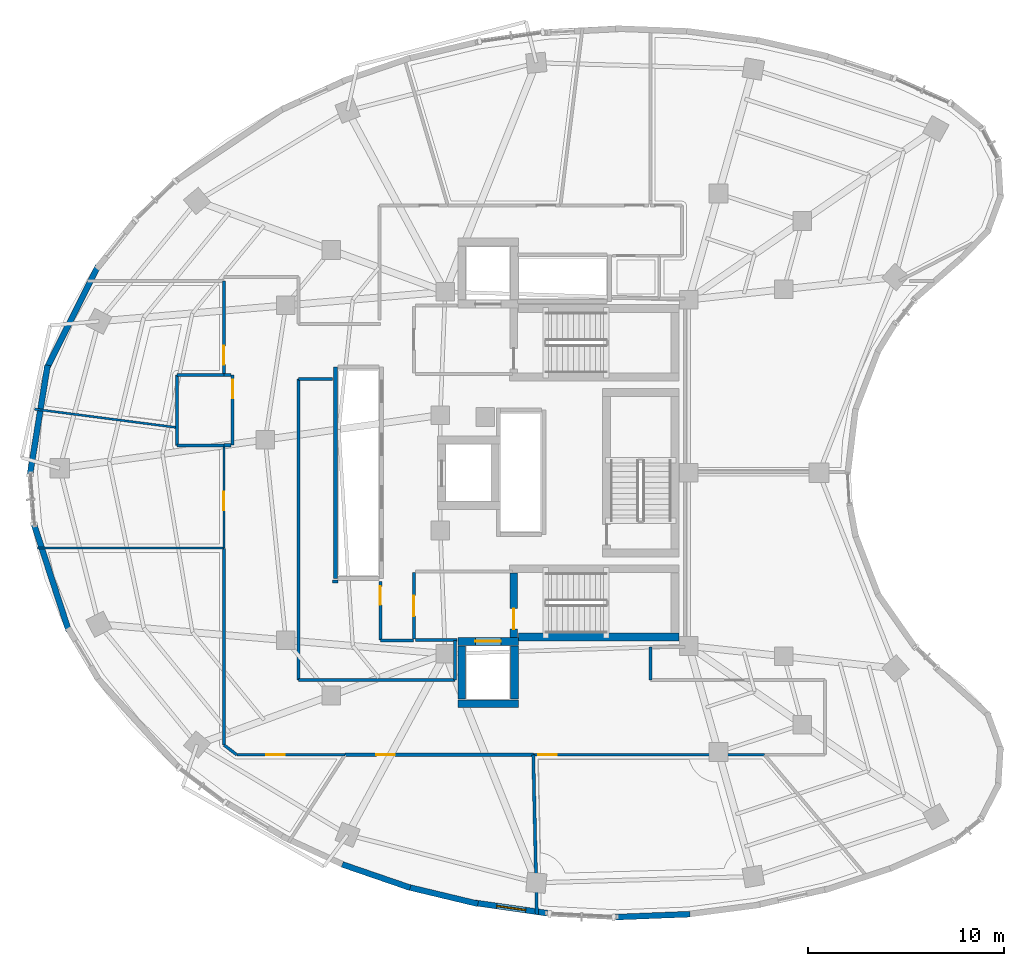
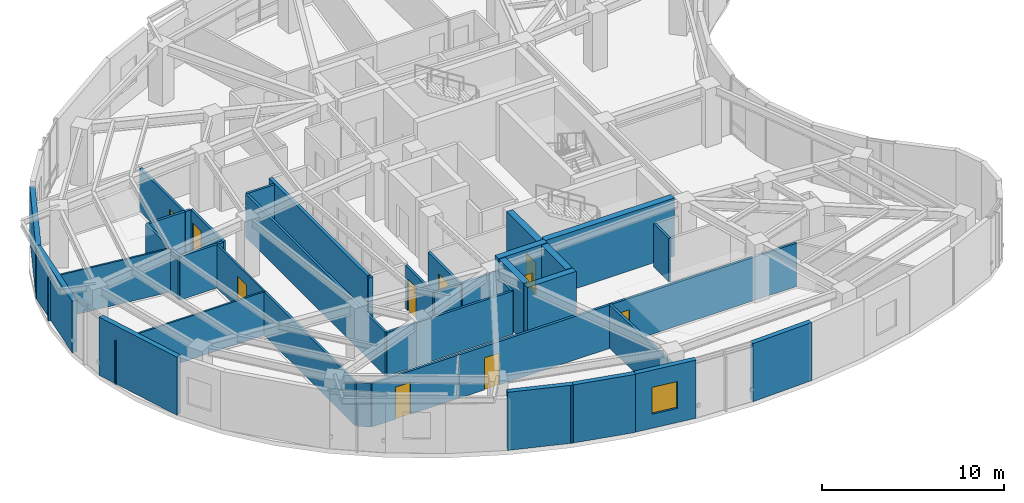
# One storey, part 8 of 15: 40 walls, 10 doors, 1 window, 11 openings.
"""IFC4 building model written with IfcOpenShell, lengths in metres."""

from ifc_helpers import new_model, si_unit, direction, frame, frame_2d, origin, place, context, subcontext, project, spatial, rectangle, extrude, material, layer, layer_set, type_object, element, fill, save


model = new_model("IFC4")

# Units and contexts
model_context = context("Model", 3, precision=1e-05, world=origin(), true_north=direction((0.0, 1.0)))
body_context = subcontext(model_context, "Body", "Model", "MODEL_VIEW")
ifc_project = project(units=[si_unit("LENGTHUNIT", "METRE"), si_unit("AREAUNIT", "SQUARE_METRE"), si_unit("VOLUMEUNIT", "CUBIC_METRE"), si_unit("PLANEANGLEUNIT", "RADIAN"), si_unit("MASSUNIT", "GRAM", prefix="KILO")], contexts=[model_context])

# Site, building, storey
site_placement = place(None, origin())
site = spatial("IfcSite", under=ifc_project, at=site_placement, CompositionType="ELEMENT")
building_placement = place(site_placement, origin())
building = spatial("IfcBuilding", under=site, at=building_placement, Name="Korentha Bioscience Tower", CompositionType="ELEMENT")
storey_placement = place(building_placement, frame((0.0, 0.0, 218.39990234375)))
storey = spatial("IfcBuildingStorey", under=building, at=storey_placement, Name="L50", CompositionType="ELEMENT", Elevation=218.39990234375)

# Wall, opening, door
ifc_material_1 = material(Name="Double-Stud Acoustic Gypsum", Category="gypsum")
ifc_layer_1 = layer(ifc_material_1, 0.14990234375, Name="Double-Stud Acoustic Gypsum")
ifc_layer_set_1 = layer_set([ifc_layer_1], Name="Double-Stud Acoustic Gypsum (IW-L150)")
wall_type_1 = type_object("IfcWallType", Name="Acoustic Laboratory Partition Wall 150", PredefinedType="PARTITIONING", material=ifc_layer_set_1)
wall_1_placement = place(storey_placement, frame((21.7900390625, 21.43994140625, 0.0), z_axis=(0.0, 0.0, 1.0), x_axis=(0.0, -1.0, 0.0)))
wall_1 = element("IfcWall", 1, at=wall_1_placement, inside=storey, type_object=wall_type_1, Name="L50 Research Colloquium Seminar Room 02 Entrance Wall", PredefinedType="PARTITIONING", context=body_context, shape_type="SweptSolid", body=[
    extrude(rectangle(XDim=2.989990234375, YDim=0.14990234375, at=frame_2d((1.4951171875, 0.0))), origin(), (0.0, 0.0, 1.0), 2.91015625),
])
opening_1_placement = place(wall_1_placement, frame((0.239990234375, 0.0, 0.0)))
opening_1 = element("IfcOpeningElement", 2, at=opening_1_placement, cuts=wall_1, Name="Opening ID-10R", PredefinedType="OPENING", context=body_context, shape_type="SweptSolid", body=[
    extrude(rectangle(XDim=0.949951171875, YDim=2.14990234375, at=frame_2d((0.47509765625, 1.074951171875))), frame((0.0, 0.08984375, 0.0), z_axis=(0.0, -1.0, 0.0), x_axis=(1.0, 0.0, 0.0)), (0.0, 0.0, 1.0), 0.1796875),
])
ifc_material_2 = material(Name="Phenolic Laminate Timber Core", Category="wood")
door_type_1 = type_object("IfcDoorType", Name="Laboratory Single Leaf Door 950x2150 Right", OperationType="SINGLE_SWING_RIGHT", PredefinedType="DOOR", material=ifc_material_2)
door_1_placement = place(opening_1_placement, origin())
door_1 = element("IfcDoor", 3, at=door_1_placement, inside=storey, type_object=door_type_1, Name="L50 Research Colloquium Seminar Room 02 Door", OperationType="SINGLE_SWING_RIGHT", OverallHeight=2.14990234375, OverallWidth=0.949951171875, PredefinedType="DOOR", context=body_context, shape_type="SweptSolid", body=[
    extrude(rectangle(XDim=0.949951171875, YDim=2.14990234375, at=frame_2d((0.47509765625, 1.074951171875))), frame((0.0, 0.02490234375, 0.0), z_axis=(0.0, -1.0, 0.0), x_axis=(1.0, 0.0, 0.0)), (0.0, 0.0, 1.0), 0.050048828125),
])
fill(opening_1, door_1)

wall_2_placement = place(storey_placement, frame((14.454345703125, 12.590087890625, 0.0), z_axis=(0.0, 0.0, 1.0), x_axis=(1.0, 0.0, 0.0)))
wall_2 = element("IfcWall", 4, at=wall_2_placement, inside=storey, type_object=wall_type_1, Name="L50 Staff Pantry Kitchenette 03 Entrance Wall", PredefinedType="PARTITIONING", context=body_context, shape_type="SweptSolid", body=[
    extrude(rectangle(XDim=5.526611328125, YDim=0.14990234375, at=frame_2d((2.76318359375, 0.0))), origin(), (0.0, 0.0, 1.0), 2.91015625),
])
opening_2_placement = place(wall_2_placement, frame((1.49560546875, 0.0, 0.0)))
opening_2 = element("IfcOpeningElement", 5, at=opening_2_placement, cuts=wall_2, Name="Opening ID-10L", PredefinedType="OPENING", context=body_context, shape_type="SweptSolid", body=[
    extrude(rectangle(XDim=0.949951171875, YDim=2.14990234375, at=frame_2d((0.47509765625, 1.074951171875))), frame((0.0, 0.08984375, 0.0), z_axis=(0.0, -1.0, 0.0), x_axis=(1.0, 0.0, 0.0)), (0.0, 0.0, 1.0), 0.1796875),
])
door_type_2 = type_object("IfcDoorType", Name="Laboratory Single Leaf Door 950x2150 Left", OperationType="SINGLE_SWING_LEFT", PredefinedType="DOOR", material=ifc_material_2)
door_2_placement = place(opening_2_placement, origin())
door_2 = element("IfcDoor", 6, at=door_2_placement, inside=storey, type_object=door_type_2, Name="L50 Staff Pantry Kitchenette 03 Door", OperationType="SINGLE_SWING_LEFT", OverallHeight=2.14990234375, OverallWidth=0.949951171875, PredefinedType="DOOR", context=body_context, shape_type="SweptSolid", body=[
    extrude(rectangle(XDim=0.949951171875, YDim=2.14990234375, at=frame_2d((0.47509765625, 1.074951171875))), frame((0.0, 0.02490234375, 0.0), z_axis=(0.0, -1.0, 0.0), x_axis=(1.0, 0.0, 0.0)), (0.0, 0.0, 1.0), 0.050048828125),
])
fill(opening_2, door_2)

wall_3_placement = place(storey_placement, frame((29.611572265625, 12.590087890625, 0.0), z_axis=(0.0, 0.0, 1.0), x_axis=(1.0, 0.0, 0.0)))
wall_3 = element("IfcWall", 7, at=wall_3_placement, inside=storey, type_object=wall_type_1, Name="L50 Sterile Media Preparation Kitchen 05 Entrance Wall", PredefinedType="PARTITIONING", context=body_context, shape_type="SweptSolid", body=[
    extrude(rectangle(XDim=11.806396484375, YDim=0.14990234375, at=frame_2d((5.9033203125, 0.0))), origin(), (0.0, 0.0, 1.0), 2.91015625),
])
opening_3_placement = place(wall_3_placement, frame((0.239990234375, 0.0, 0.0)))
opening_3 = element("IfcOpeningElement", 8, at=opening_3_placement, cuts=wall_3, Name="Opening ID-10L", PredefinedType="OPENING", context=body_context, shape_type="SweptSolid", body=[
    extrude(rectangle(XDim=0.949951171875, YDim=2.14990234375, at=frame_2d((0.47509765625, 1.074951171875))), frame((0.0, 0.08984375, 0.0), z_axis=(0.0, -1.0, 0.0), x_axis=(1.0, 0.0, 0.0)), (0.0, 0.0, 1.0), 0.1796875),
])
door_3_placement = place(opening_3_placement, origin())
door_3 = element("IfcDoor", 9, at=door_3_placement, inside=storey, type_object=door_type_2, Name="L50 Sterile Media Preparation Kitchen 05 Door", OperationType="SINGLE_SWING_LEFT", OverallHeight=2.14990234375, OverallWidth=0.949951171875, PredefinedType="DOOR", context=body_context, shape_type="SweptSolid", body=[
    extrude(rectangle(XDim=0.949951171875, YDim=2.14990234375, at=frame_2d((0.47509765625, 1.074951171875))), frame((0.0, 0.02490234375, 0.0), z_axis=(0.0, -1.0, 0.0), x_axis=(1.0, 0.0, 0.0)), (0.0, 0.0, 1.0), 0.050048828125),
])
fill(opening_3, door_3)

wall_4_placement = place(storey_placement, frame((13.7900390625, 36.7919921875, 0.0), z_axis=(0.0, 0.0, 1.0), x_axis=(0.0, -1.0, 0.0)))
wall_4 = element("IfcWall", 10, at=wall_4_placement, inside=storey, type_object=wall_type_1, Name="L50 Neurobiology Electrophysiology Lab 11 Entrance Wall", PredefinedType="PARTITIONING", context=body_context, shape_type="SweptSolid", body=[
    extrude(rectangle(XDim=4.781982421875, YDim=0.14990234375, at=frame_2d((2.39111328125, 0.0))), origin(), (0.0, 0.0, 1.0), 2.91015625),
])
opening_4_placement = place(wall_4_placement, frame((3.312255859375, 0.0, 0.0)))
opening_4 = element("IfcOpeningElement", 11, at=opening_4_placement, cuts=wall_4, Name="Opening ID-10L", PredefinedType="OPENING", context=body_context, shape_type="SweptSolid", body=[
    extrude(rectangle(XDim=0.949951171875, YDim=2.14990234375, at=frame_2d((0.47509765625, 1.074951171875))), frame((0.0, 0.08984375, 0.0), z_axis=(0.0, -1.0, 0.0), x_axis=(1.0, 0.0, 0.0)), (0.0, 0.0, 1.0), 0.1796875),
])
door_4_placement = place(opening_4_placement, origin())
door_4 = element("IfcDoor", 12, at=door_4_placement, inside=storey, type_object=door_type_2, Name="L50 Neurobiology Electrophysiology Lab 11 Door", OperationType="SINGLE_SWING_LEFT", OverallHeight=2.14990234375, OverallWidth=0.949951171875, PredefinedType="DOOR", context=body_context, shape_type="SweptSolid", body=[
    extrude(rectangle(XDim=0.949951171875, YDim=2.14990234375, at=frame_2d((0.47509765625, 1.074951171875))), frame((0.0, 0.02490234375, 0.0), z_axis=(0.0, -1.0, 0.0), x_axis=(1.0, 0.0, 0.0)), (0.0, 0.0, 1.0), 0.050048828125),
])
fill(opening_4, door_4)

# Walls
wall_5_placement = place(storey_placement, frame((19.35009765625, 21.43994140625, 0.0), z_axis=(0.0, 0.0, 1.0), x_axis=(1.0, 0.0, 0.0)))
element("IfcWall", 13, at=wall_5_placement, inside=storey, type_object=wall_type_1, Name="L50 Interior Partition 023", PredefinedType="PARTITIONING", context=body_context, shape_type="SweptSolid", body=[
    extrude(rectangle(XDim=0.27001953125, YDim=0.14990234375, at=frame_2d((0.135009765625, 0.0))), origin(), (0.0, 0.0, 1.0), 2.91015625),
])
wall_6_placement = place(storey_placement, frame((21.800048828125, 18.43994140625, 0.0), z_axis=(0.0, 0.0, 1.0), x_axis=(1.0, 0.0, 0.0)))
element("IfcWall", 14, at=wall_6_placement, inside=storey, type_object=wall_type_1, Name="L50 Interior Partition 024", PredefinedType="PARTITIONING", context=body_context, shape_type="SweptSolid", body=[
    extrude(rectangle(XDim=1.68994140625, YDim=0.14990234375, at=frame_2d((0.844970703125, 0.0))), origin(), (0.0, 0.0, 1.0), 2.91015625),
])
wall_7_placement = place(storey_placement, frame((25.60009765625, 18.435791015625, 0.0), z_axis=(0.0, 0.0, 1.0), x_axis=(0.0, -1.0, 0.0)))
element("IfcWall", 15, at=wall_7_placement, inside=storey, type_object=wall_type_1, Name="L50 Interior Partition 025", PredefinedType="PARTITIONING", context=body_context, shape_type="SweptSolid", body=[
    extrude(rectangle(XDim=2.02587890625, YDim=0.14990234375, at=frame_2d((1.012939453125, 0.0))), origin(), (0.0, 0.0, 1.0), 2.91015625),
])
wall_8_placement = place(storey_placement, frame((25.60009765625, 16.409912109375, 0.0), z_axis=(0.0, 0.0, 1.0), x_axis=(-1.0, 0.0, 0.0)))
element("IfcWall", 16, at=wall_8_placement, inside=storey, type_object=wall_type_1, Name="L50 Interior Partition 026", PredefinedType="PARTITIONING", context=body_context, shape_type="SweptSolid", body=[
    extrude(rectangle(XDim=7.989990234375, YDim=0.14990234375, at=frame_2d((3.9951171875, 0.0))), origin(), (0.0, 0.0, 1.0), 2.91015625),
])
wall_9_placement = place(storey_placement, frame((17.610107421875, 16.409912109375, 0.0), z_axis=(0.0, 0.0, 1.0), x_axis=(0.0, 1.0, 0.0)))
element("IfcWall", 17, at=wall_9_placement, inside=storey, type_object=wall_type_1, Name="L50 Interior Partition 027", PredefinedType="PARTITIONING", context=body_context, shape_type="SweptSolid", body=[
    extrude(rectangle(XDim=15.380126953125, YDim=0.14990234375, at=frame_2d((7.68994140625, 0.0))), origin(), (0.0, 0.0, 1.0), 2.91015625),
])
wall_10_placement = place(storey_placement, frame((17.610107421875, 31.7900390625, 0.0), z_axis=(0.0, 0.0, 1.0), x_axis=(1.0, 0.0, 0.0)))
element("IfcWall", 18, at=wall_10_placement, inside=storey, type_object=wall_type_1, Name="L50 Interior Partition 028", PredefinedType="PARTITIONING", context=body_context, shape_type="SweptSolid", body=[
    extrude(rectangle(XDim=1.72998046875, YDim=0.14990234375, at=frame_2d((0.864990234375, 0.0))), origin(), (0.0, 0.0, 1.0), 2.91015625),
])
wall_11_placement = place(storey_placement, frame((13.7900390625, 23.14208984375, 0.0), z_axis=(0.0, 0.0, 1.0), x_axis=(0.0, -1.0, 0.0)))
element("IfcWall", 19, at=wall_11_placement, inside=storey, type_object=wall_type_1, Name="L50 Interior Partition 029", PredefinedType="PARTITIONING", context=body_context, shape_type="SweptSolid", body=[
    extrude(rectangle(XDim=10.0458984375, YDim=0.14990234375, at=frame_2d((5.02294921875, 0.0))), origin(), (0.0, 0.0, 1.0), 2.91015625),
])
wall_12_placement = place(storey_placement, frame((13.7939453125, 13.088134765625, 0.0), z_axis=(0.0, 0.0, 1.0), x_axis=(0.796957719098, -0.604035093326, 0.0)))
element("IfcWall", 20, at=wall_12_placement, inside=storey, type_object=wall_type_1, Name="L50 Interior Partition 030", PredefinedType="PARTITIONING", context=body_context, shape_type="SweptSolid", body=[
    extrude(rectangle(XDim=0.8212890625, YDim=0.14990234375, at=frame_2d((0.41064453125, 0.0))), origin(), (0.0, 0.0, 1.0), 2.91015625),
])
wall_13_placement = place(storey_placement, frame((35.60205078125, 16.409912109375, 0.0), z_axis=(0.0, 0.0, 1.0), x_axis=(0.0, 1.0, 0.0)))
element("IfcWall", 21, at=wall_13_placement, inside=storey, type_object=wall_type_1, Name="L50 Interior Partition 039", PredefinedType="PARTITIONING", context=body_context, shape_type="SweptSolid", body=[
    extrude(rectangle(XDim=1.68017578125, YDim=0.14990234375, at=frame_2d((0.840087890625, 0.0))), origin(), (0.0, 0.0, 1.0), 2.91015625),
])

# Wall, opening, door
ifc_material_3 = material(Name="Fire-Rated Framed Glass", Category="glass")
ifc_layer_2 = layer(ifc_material_3, 0.110107421875, Name="Fire-Rated Framed Glass")
ifc_layer_set_2 = layer_set([ifc_layer_2], Name="Fire-Rated Framed Glass (IW-G110)")
wall_type_2 = type_object("IfcWallType", Name="Demountable Glazed Office Partition 110", PredefinedType="MOVABLE", material=ifc_layer_set_2)
wall_14_placement = place(storey_placement, frame((13.7900390625, 28.389892578125, 0.0), z_axis=(0.0, 0.0, 1.0), x_axis=(0.0, -1.0, 0.0)))
wall_14 = element("IfcWall", 22, at=wall_14_placement, inside=storey, type_object=wall_type_2, Name="L50 Principal Investigator Office 01 Entrance Wall", PredefinedType="MOVABLE", context=body_context, shape_type="SweptSolid", body=[
    extrude(rectangle(XDim=5.23779296875, YDim=0.110107421875, at=frame_2d((2.618896484375, 0.0))), origin(), (0.0, 0.0, 1.0), 2.91015625),
])
opening_5_placement = place(wall_14_placement, frame((2.35009765625, 0.0, 0.0)))
opening_5 = element("IfcOpeningElement", 23, at=opening_5_placement, cuts=wall_14, Name="Opening ID-10L", PredefinedType="OPENING", context=body_context, shape_type="SweptSolid", body=[
    extrude(rectangle(XDim=0.949951171875, YDim=2.14990234375, at=frame_2d((0.47509765625, 1.074951171875))), frame((0.0, 0.06982421875, 0.0), z_axis=(0.0, -1.0, 0.0), x_axis=(1.0, 0.0, 0.0)), (0.0, 0.0, 1.0), 0.139892578125),
])
door_5_placement = place(opening_5_placement, origin())
door_5 = element("IfcDoor", 24, at=door_5_placement, inside=storey, type_object=door_type_2, Name="L50 Principal Investigator Office 01 Door", OperationType="SINGLE_SWING_LEFT", OverallHeight=2.14990234375, OverallWidth=0.949951171875, PredefinedType="DOOR", context=body_context, shape_type="SweptSolid", body=[
    extrude(rectangle(XDim=0.949951171875, YDim=2.14990234375, at=frame_2d((0.47509765625, 1.074951171875))), frame((0.0, 0.02490234375, 0.0), z_axis=(0.0, -1.0, 0.0), x_axis=(1.0, 0.0, 0.0)), (0.0, 0.0, 1.0), 0.050048828125),
])
fill(opening_5, door_5)

# Walls
wall_15_placement = place(storey_placement, frame((4.122802734375, 30.252685546875, 0.0), z_axis=(0.0, 0.0, 1.0), x_axis=(0.991734568624, -0.128306451111, 0.0)))
element("IfcWall", 25, at=wall_15_placement, inside=storey, type_object=wall_type_2, Name="L50 Interior Partition 021", PredefinedType="MOVABLE", context=body_context, shape_type="SweptSolid", body=[
    extrude(rectangle(XDim=7.32763671875, YDim=0.110107421875, at=frame_2d((3.663818359375, 0.0))), origin(), (0.0, 0.0, 1.0), 2.91015625),
])
wall_16_placement = place(storey_placement, frame((13.7900390625, 23.152099609375, 0.0), z_axis=(0.0, 0.0, 1.0), x_axis=(-1.0, 0.0, 0.0)))
element("IfcWall", 26, at=wall_16_placement, inside=storey, type_object=wall_type_2, Name="L50 Interior Partition 022", PredefinedType="MOVABLE", context=body_context, shape_type="SweptSolid", body=[
    extrude(rectangle(XDim=9.516845703125, YDim=0.110107421875, at=frame_2d((4.75830078125, 0.0))), origin(), (0.0, 0.0, 1.0), 2.91015625),
])

# Wall, opening, door
ifc_material_4 = material(Name="Gypsum-Clad Steel Stud", Category="steel")
ifc_layer_3 = layer(ifc_material_4, 0.159912109375, Name="Gypsum-Clad Steel Stud")
ifc_layer_set_3 = layer_set([ifc_layer_3], Name="Gypsum-Clad Steel Stud (IW-C160)")
wall_type_3 = type_object("IfcWallType", Name="Fire-Rated Corridor Partition Wall 160", PredefinedType="PARTITIONING", material=ifc_layer_set_3)
wall_17_placement = place(storey_placement, frame((23.5, 18.5, 0.0), z_axis=(0.0, 0.0, 1.0), x_axis=(0.0, 1.0, 0.0)))
wall_17 = element("IfcWall", 27, at=wall_17_placement, inside=storey, type_object=wall_type_3, Name="L50 FFLS-CW Rated Enclosure Wall", PredefinedType="PARTITIONING", context=body_context, shape_type="SweptSolid", body=[
    extrude(rectangle(XDim=3.39990234375, YDim=0.159912109375, at=frame_2d((1.699951171875, 0.0))), origin(), (0.0, 0.0, 1.0), 2.91015625),
])
opening_6_placement = place(wall_17_placement, frame((1.175048828125, 0.0, 0.0)))
opening_6 = element("IfcOpeningElement", 28, at=opening_6_placement, cuts=wall_17, Name="Opening FD-90L", PredefinedType="OPENING", context=body_context, shape_type="SweptSolid", body=[
    extrude(rectangle(XDim=1.050048828125, YDim=2.14990234375, at=frame_2d((0.52490234375, 1.074951171875))), frame((0.0, 0.0947265625, 0.0), z_axis=(0.0, -1.0, 0.0), x_axis=(1.0, 0.0, 0.0)), (0.0, 0.0, 1.0), 0.189697265625),
])
ifc_material_5 = material(Name="Powder-Coated Fire-Rated Steel", Category="steel")
door_type_3 = type_object("IfcDoorType", Name="Stairwell Fire Exit Door 1050x2150 Left", OperationType="SINGLE_SWING_LEFT", PredefinedType="DOOR", material=ifc_material_5)
door_6_placement = place(opening_6_placement, origin())
door_6 = element("IfcDoor", 29, at=door_6_placement, inside=storey, type_object=door_type_3, Name="L50 South Firefighting Lobby Door", OperationType="SINGLE_SWING_LEFT", OverallHeight=2.14990234375, OverallWidth=1.050048828125, PredefinedType="DOOR", context=body_context, shape_type="SweptSolid", body=[
    extrude(rectangle(XDim=1.050048828125, YDim=2.14990234375, at=frame_2d((0.52490234375, 1.074951171875))), frame((0.0, 0.02490234375, 0.0), z_axis=(0.0, -1.0, 0.0), x_axis=(1.0, 0.0, 0.0)), (0.0, 0.0, 1.0), 0.050048828125),
])
fill(opening_6, door_6)

# Wall
wall_18_placement = place(storey_placement, frame((23.580078125, 18.449951171875, 0.0), z_axis=(0.0, 0.0, 1.0), x_axis=(1.0, 0.0, 0.0)))
element("IfcWall", 30, at=wall_18_placement, inside=storey, type_object=wall_type_3, Name="L50 Firefighting Lobby Return Wall FFLS-S", PredefinedType="PARTITIONING", context=body_context, shape_type="SweptSolid", body=[
    extrude(rectangle(XDim=2.119873046875, YDim=0.159912109375, at=frame_2d((1.06005859375, 0.0))), origin(), (0.0, 0.0, 1.0), 2.91015625),
])

# Wall, opening, door
wall_19_placement = place(storey_placement, frame((14.239990234375, 31.989990234375, 0.0), z_axis=(0.0, 0.0, 1.0), x_axis=(0.0, -1.0, 0.0)))
wall_19 = element("IfcWall", 31, at=wall_19_placement, inside=storey, type_object=wall_type_3, Name="L50 Reclaimed Bank-1 North Data Closet Entrance Wall", PredefinedType="PARTITIONING", context=body_context, shape_type="SweptSolid", body=[
    extrude(rectangle(XDim=3.580078125, YDim=0.159912109375, at=frame_2d((1.7900390625, 0.0))), origin(), (0.0, 0.0, 1.0), 2.91015625),
])
opening_7_placement = place(wall_19_placement, frame((0.239990234375, 0.0, 0.0)))
opening_7 = element("IfcOpeningElement", 32, at=opening_7_placement, cuts=wall_19, Name="Opening ID-10R", PredefinedType="OPENING", context=body_context, shape_type="SweptSolid", body=[
    extrude(rectangle(XDim=0.949951171875, YDim=2.14990234375, at=frame_2d((0.47509765625, 1.074951171875))), frame((0.0, 0.0947265625, 0.0), z_axis=(0.0, -1.0, 0.0), x_axis=(1.0, 0.0, 0.0)), (0.0, 0.0, 1.0), 0.189697265625),
])
door_7_placement = place(opening_7_placement, origin())
door_7 = element("IfcDoor", 33, at=door_7_placement, inside=storey, type_object=door_type_1, Name="L50 Reclaimed Bank-1 North Data Closet Door", OperationType="SINGLE_SWING_RIGHT", OverallHeight=2.14990234375, OverallWidth=0.949951171875, PredefinedType="DOOR", context=body_context, shape_type="SweptSolid", body=[
    extrude(rectangle(XDim=0.949951171875, YDim=2.14990234375, at=frame_2d((0.47509765625, 1.074951171875))), frame((0.0, 0.02490234375, 0.0), z_axis=(0.0, -1.0, 0.0), x_axis=(1.0, 0.0, 0.0)), (0.0, 0.0, 1.0), 0.050048828125),
])
fill(opening_7, door_7)

wall_20_placement = place(storey_placement, frame((19.990966796875, 12.590087890625, 0.0), z_axis=(0.0, 0.0, 1.0), x_axis=(1.0, 0.0, 0.0)))
wall_20 = element("IfcWall", 34, at=wall_20_placement, inside=storey, type_object=wall_type_3, Name="L50 Biospecimen Archive Store 04 Entrance Wall", PredefinedType="PARTITIONING", context=body_context, shape_type="SweptSolid", body=[
    extrude(rectangle(XDim=9.610595703125, YDim=0.159912109375, at=frame_2d((4.80517578125, 0.0))), origin(), (0.0, 0.0, 1.0), 2.91015625),
])
opening_8_placement = place(wall_20_placement, frame((1.591064453125, 0.0, 0.0)))
opening_8 = element("IfcOpeningElement", 35, at=opening_8_placement, cuts=wall_20, Name="Opening ID-10R", PredefinedType="OPENING", context=body_context, shape_type="SweptSolid", body=[
    extrude(rectangle(XDim=0.949951171875, YDim=2.14990234375, at=frame_2d((0.47509765625, 1.074951171875))), frame((0.0, 0.0947265625, 0.0), z_axis=(0.0, -1.0, 0.0), x_axis=(1.0, 0.0, 0.0)), (0.0, 0.0, 1.0), 0.189697265625),
])
door_8_placement = place(opening_8_placement, origin())
door_8 = element("IfcDoor", 36, at=door_8_placement, inside=storey, type_object=door_type_1, Name="L50 Biospecimen Archive Store 04 Door", OperationType="SINGLE_SWING_RIGHT", OverallHeight=2.14990234375, OverallWidth=0.949951171875, PredefinedType="DOOR", context=body_context, shape_type="SweptSolid", body=[
    extrude(rectangle(XDim=0.949951171875, YDim=2.14990234375, at=frame_2d((0.47509765625, 1.074951171875))), frame((0.0, 0.02490234375, 0.0), z_axis=(0.0, -1.0, 0.0), x_axis=(1.0, 0.0, 0.0)), (0.0, 0.0, 1.0), 0.050048828125),
])
fill(opening_8, door_8)

# Walls
for number, where, z_axis, x_axis, name in (
    (37, (13.800048828125, 31.989990234375, 0.0), (0.0, 0.0, 1.0), (1.0, 0.0, 0.0), "L50 Interior Partition 016"),
    (38, (14.156982421875, 28.409912109375, 0.0), (0.0, 0.0, 1.0), (-1.0, 0.0, 0.0), "L50 Interior Partition 017"),
):
    element("IfcWall", number, at=place(storey_placement, frame(where, z_axis=z_axis, x_axis=x_axis)), inside=storey, type_object=wall_type_3, Name=name, PredefinedType="PARTITIONING", context=body_context, shape_type="SweptSolid", body=[
        extrude(rectangle(XDim=0.35693359375, YDim=0.159912109375, at=frame_2d((0.178466796875, 0.0))), origin(), (0.0, 0.0, 1.0), 2.91015625),
    ])
wall_21_placement = place(storey_placement, frame((13.7900390625, 28.39990234375, 0.0), z_axis=(0.0, 0.0, 1.0), x_axis=(-1.0, 0.0, 0.0)))
element("IfcWall", 39, at=wall_21_placement, inside=storey, type_object=wall_type_3, Name="L50 Interior Partition 018", PredefinedType="PARTITIONING", context=body_context, shape_type="SweptSolid", body=[
    extrude(rectangle(XDim=2.39013671875, YDim=0.159912109375, at=frame_2d((1.195068359375, 0.0))), origin(), (0.0, 0.0, 1.0), 2.91015625),
])
wall_22_placement = place(storey_placement, frame((11.39990234375, 28.39990234375, 0.0), z_axis=(0.0, 0.0, 1.0), x_axis=(0.0, 1.0, 0.0)))
element("IfcWall", 40, at=wall_22_placement, inside=storey, type_object=wall_type_3, Name="L50 Interior Partition 019", PredefinedType="PARTITIONING", context=body_context, shape_type="SweptSolid", body=[
    extrude(rectangle(XDim=3.60009765625, YDim=0.159912109375, at=frame_2d((1.800048828125, 0.0))), origin(), (0.0, 0.0, 1.0), 2.91015625),
])
wall_23_placement = place(storey_placement, frame((11.39990234375, 32.0, 0.0), z_axis=(0.0, 0.0, 1.0), x_axis=(1.0, 0.0, 0.0)))
element("IfcWall", 41, at=wall_23_placement, inside=storey, type_object=wall_type_3, Name="L50 Interior Partition 020", PredefinedType="PARTITIONING", context=body_context, shape_type="SweptSolid", body=[
    extrude(rectangle(XDim=2.39013671875, YDim=0.159912109375, at=frame_2d((1.195068359375, 0.0))), origin(), (0.0, 0.0, 1.0), 2.91015625),
])
wall_24_placement = place(storey_placement, frame((29.6015625, 12.590087890625, 0.0), z_axis=(0.0, 0.0, 1.0), x_axis=(0.02244070068, -0.999748175769, 0.0)))
element("IfcWall", 42, at=wall_24_placement, inside=storey, type_object=wall_type_3, Name="L50 Interior Partition 032", PredefinedType="PARTITIONING", context=body_context, shape_type="SweptSolid", body=[
    extrude(rectangle(XDim=8.159423828125, YDim=0.159912109375, at=frame_2d((4.07958984375, 0.0))), origin(), (0.0, 0.0, 1.0), 2.91015625),
])

# Wall, opening, window
ifc_material_6 = material(Name="Honed Limestone Precast Concrete C40", Category="masonry")
ifc_layer_4 = layer(ifc_material_6, 0.300048828125, Name="Honed Limestone Precast Concrete C40")
ifc_layer_set_4 = layer_set([ifc_layer_4], Name="Honed Limestone Precast Concrete C40 (EW-ST300)")
wall_type_4 = type_object("IfcWallType", Name="Honed Limestone Cavity Spandrel Wall 300", PredefinedType="STANDARD", material=ifc_layer_set_4)
wall_25_placement = place(storey_placement, frame((26.628173828125, 5.022216796875, 0.0), z_axis=(0.0, 0.0, 1.0), x_axis=(0.989905072127, -0.14173195891, 0.0)))
wall_25 = element("IfcWall", 43, at=wall_25_placement, inside=storey, type_object=wall_type_4, Name="L50 Honed Limestone Spandrel Wall 30", PredefinedType="STANDARD", context=body_context, shape_type="SweptSolid", body=[
    extrude(rectangle(XDim=3.741455078125, YDim=0.300048828125, at=frame_2d((1.87060546875, 0.0))), origin(), (0.0, 0.0, 1.0), 3.900146484375),
])
opening_9_placement = place(wall_25_placement, frame((1.12060546875, 0.0, 0.949951171875)))
opening_9 = element("IfcOpeningElement", 44, at=opening_9_placement, cuts=wall_25, Name="Opening WN-02", PredefinedType="OPENING", context=body_context, shape_type="SweptSolid", body=[
    extrude(rectangle(XDim=1.5, YDim=1.800048828125, at=frame_2d((0.75, 0.89990234375))), frame((0.0, 0.1650390625, 0.0), z_axis=(0.0, -1.0, 0.0), x_axis=(1.0, 0.0, 0.0)), (0.0, 0.0, 1.0), 0.329833984375),
])
ifc_material_7 = material(Name="Thermally Broken Aluminium Triple Glazing", Category="aluminium")
window_type = type_object("IfcWindowType", Name="Acoustic Operable Office Window 1500x1800", PartitioningType="DOUBLE_PANEL_VERTICAL", PredefinedType="WINDOW", material=ifc_material_7)
window_placement = place(opening_9_placement, origin())
window = element("IfcWindow", 45, at=window_placement, inside=storey, type_object=window_type, Name="L50 Facade Window 30", OverallHeight=1.800048828125, OverallWidth=1.5, PartitioningType="DOUBLE_PANEL_VERTICAL", PredefinedType="WINDOW", context=body_context, shape_type="SweptSolid", body=[
    extrude(rectangle(XDim=1.5, YDim=1.800048828125, at=frame_2d((0.75, 0.89990234375))), frame((0.0, 0.030029296875, 0.0), z_axis=(0.0, -1.0, 0.0), x_axis=(1.0, 0.0, 0.0)), (0.0, 0.0, 1.0), 0.06005859375),
])
fill(opening_9, window)

# Walls
wall_26_placement = place(storey_placement, frame((7.363037109375, 37.576904296875, 0.0), z_axis=(0.0, 0.0, 1.0), x_axis=(-0.448240215972, -0.893913143871, 0.0)))
element("IfcWall", 46, at=wall_26_placement, inside=storey, type_object=wall_type_4, Name="L50 Limestone Perimeter Closure Wall 15", PredefinedType="STANDARD", context=body_context, shape_type="SweptSolid", body=[
    extrude(rectangle(XDim=5.89599609375, YDim=0.300048828125, at=frame_2d((2.947998046875, 0.0))), origin(), (0.0, 0.0, 1.0), 3.47021484375),
])
wall_27_placement = place(storey_placement, frame((4.78173828125, 32.497314453125, 0.0), z_axis=(0.0, 0.0, 1.0), x_axis=(-0.158573166105, -0.987347229191, 0.0)))
element("IfcWall", 47, at=wall_27_placement, inside=storey, type_object=wall_type_4, Name="L50 Limestone Perimeter Closure Wall 17", PredefinedType="STANDARD", context=body_context, shape_type="SweptSolid", body=[
    extrude(rectangle(XDim=5.67041015625, YDim=0.300048828125, at=frame_2d((2.835205078125, 0.0))), origin(), (0.0, 0.0, 1.0), 3.47021484375),
])
wall_28_placement = place(storey_placement, frame((4.08447265625, 24.37939453125, 0.0), z_axis=(0.0, 0.0, 1.0), x_axis=(0.309937285623, -0.95075700312, 0.0)))
element("IfcWall", 48, at=wall_28_placement, inside=storey, type_object=wall_type_4, Name="L50 Limestone Perimeter Closure Wall 20", PredefinedType="STANDARD", context=body_context, shape_type="SweptSolid", body=[
    extrude(rectangle(XDim=5.758056640625, YDim=0.300048828125, at=frame_2d((2.87890625, 0.0))), origin(), (0.0, 0.0, 1.0), 3.900146484375),
])
wall_29_placement = place(storey_placement, frame((19.83837890625, 6.987548828125, 0.0), z_axis=(0.0, 0.0, 1.0), x_axis=(0.945722383555, -0.32497565023, 0.0)))
element("IfcWall", 49, at=wall_29_placement, inside=storey, type_object=wall_type_4, Name="L50 Limestone Perimeter Closure Wall 28", PredefinedType="STANDARD", context=body_context, shape_type="SweptSolid", body=[
    extrude(rectangle(XDim=3.669921875, YDim=0.300048828125, at=frame_2d((1.8349609375, 0.0))), origin(), (0.0, 0.0, 1.0), 3.900146484375),
])
wall_30_placement = place(storey_placement, frame((23.142578125, 5.84326171875, 0.0), z_axis=(0.0, 0.0, 1.0), x_axis=(0.972475629939, -0.233004611918, 0.0)))
element("IfcWall", 50, at=wall_30_placement, inside=storey, type_object=wall_type_4, Name="L50 Limestone Perimeter Closure Wall 29", PredefinedType="STANDARD", context=body_context, shape_type="SweptSolid", body=[
    extrude(rectangle(XDim=3.7353515625, YDim=0.300048828125, at=frame_2d((1.86767578125, 0.0))), origin(), (0.0, 0.0, 1.0), 3.900146484375),
])
wall_31_placement = place(storey_placement, frame((33.804931640625, 4.29248046875, 0.0), z_axis=(0.0, 0.0, 1.0), x_axis=(0.999221923177, 0.039440439173, 0.0)))
element("IfcWall", 51, at=wall_31_placement, inside=storey, type_object=wall_type_4, Name="L50 Limestone Perimeter Closure Wall 32", PredefinedType="STANDARD", context=body_context, shape_type="SweptSolid", body=[
    extrude(rectangle(XDim=3.806884765625, YDim=0.300048828125, at=frame_2d((1.9033203125, 0.0))), origin(), (0.0, 0.0, 1.0), 3.900146484375),
])
ifc_material_8 = material(Name="Autoclaved Aerated Concrete Block C25", Category="concrete")
ifc_layer_5 = layer(ifc_material_8, 0.199951171875, Name="Autoclaved Aerated Concrete Block C25")
ifc_layer_set_5 = layer_set([ifc_layer_5], Name="Autoclaved Aerated Concrete Block C25 (IW-S200)")
wall_type_5 = type_object("IfcWallType", Name="Lift and Riser Shaft Enclosure Wall 200", PredefinedType="PARTITIONING", material=ifc_layer_set_5)
wall_32_placement = place(storey_placement, frame((19.5, 21.60009765625, 0.0), z_axis=(0.0, 0.0, 1.0), x_axis=(0.0, 1.0, 0.0)))
element("IfcWall", 52, at=wall_32_placement, inside=storey, type_object=wall_type_5, Name="L50 Lift Bank MID Shaft Wall -X", PredefinedType="PARTITIONING", context=body_context, shape_type="SweptSolid", body=[
    extrude(rectangle(XDim=10.7998046875, YDim=0.199951171875, at=frame_2d((5.39990234375, 0.0))), origin(), (0.0, 0.0, 1.0), 2.91015625),
])
ifc_material_9 = material(Name="Concrete C65", Category="concrete")
ifc_layer_6 = layer(ifc_material_9, 0.39990234375, Name="Concrete C65")
ifc_layer_set_6 = layer_set([ifc_layer_6], Name="Concrete C65 (CW-C65)")
wall_type_6 = type_object("IfcWallType", Name="Mid-Rise Core Shear Wall 400", PredefinedType="SHEAR", material=ifc_layer_set_6)
wall_33_placement = place(storey_placement, frame((28.85205078125, 18.60009765625, 0.0), z_axis=(0.0, 0.0, 1.0), x_axis=(1.0, 0.0, 0.0)))
element("IfcWall", 53, at=wall_33_placement, inside=storey, type_object=wall_type_6, Name="L50 Core Shear Wall ST2-S", PredefinedType="SHEAR", context=body_context, shape_type="SweptSolid", body=[
    extrude(rectangle(XDim=8.197998046875, YDim=0.39990234375, at=frame_2d((4.09912109375, 0.0))), origin(), (0.0, 0.0, 1.0), 3.900146484375),
])

# Wall, opening, door
wall_34_placement = place(storey_placement, frame((28.60009765625, 18.58203125, 0.0), z_axis=(0.0, 0.0, 1.0), x_axis=(0.0, 1.0, 0.0)))
wall_34 = element("IfcWall", 54, at=wall_34_placement, inside=storey, type_object=wall_type_6, Name="L50 Core Shear Wall ST2-W", PredefinedType="SHEAR", context=body_context, shape_type="SweptSolid", body=[
    extrude(rectangle(XDim=3.307861328125, YDim=0.39990234375, at=frame_2d((1.65380859375, 0.0))), origin(), (0.0, 0.0, 1.0), 3.900146484375),
])
opening_10_placement = place(wall_34_placement, frame((0.427978515625, 0.0, 0.0)))
opening_10 = element("IfcOpeningElement", 55, at=opening_10_placement, cuts=wall_34, Name="Opening FD-90L", PredefinedType="OPENING", context=body_context, shape_type="SweptSolid", body=[
    extrude(rectangle(XDim=1.050048828125, YDim=2.14990234375, at=frame_2d((0.52490234375, 1.074951171875))), frame((0.0, 0.21484375, 0.0), z_axis=(0.0, -1.0, 0.0), x_axis=(1.0, 0.0, 0.0)), (0.0, 0.0, 1.0), 0.4296875),
])
door_9_placement = place(opening_10_placement, origin())
door_9 = element("IfcDoor", 56, at=door_9_placement, inside=storey, type_object=door_type_3, Name="L50 ST-2 Fire Exit Stair Door", OperationType="SINGLE_SWING_LEFT", OverallHeight=2.14990234375, OverallWidth=1.050048828125, PredefinedType="DOOR", context=body_context, shape_type="SweptSolid", body=[
    extrude(rectangle(XDim=1.050048828125, YDim=2.14990234375, at=frame_2d((0.52490234375, 1.074951171875))), frame((0.0, 0.02490234375, 0.0), z_axis=(0.0, -1.0, 0.0), x_axis=(1.0, 0.0, 0.0)), (0.0, 0.0, 1.0), 0.050048828125),
])
fill(opening_10, door_9)

# Wall
wall_35_placement = place(storey_placement, frame((25.75, 15.199951171875, 0.0), z_axis=(0.0, 0.0, 1.0), x_axis=(1.0, 0.0, 0.0)))
element("IfcWall", 57, at=wall_35_placement, inside=storey, type_object=wall_type_6, Name="L50 Core Shear Wall FFL1-S", PredefinedType="SHEAR", context=body_context, shape_type="SweptSolid", body=[
    extrude(rectangle(XDim=3.10009765625, YDim=0.39990234375, at=frame_2d((1.550048828125, 0.0))), origin(), (0.0, 0.0, 1.0), 3.900146484375),
])

# Wall, opening, door
wall_36_placement = place(storey_placement, frame((25.75, 18.3798828125, 0.0), z_axis=(0.0, 0.0, 1.0), x_axis=(1.0, 0.0, 0.0)))
wall_36 = element("IfcWall", 58, at=wall_36_placement, inside=storey, type_object=wall_type_6, Name="L50 Core Shear Wall FFL1-N", PredefinedType="SHEAR", context=body_context, shape_type="SweptSolid", body=[
    extrude(rectangle(XDim=3.10009765625, YDim=0.39990234375, at=frame_2d((1.550048828125, 0.0))), origin(), (0.0, 0.0, 1.0), 3.900146484375),
])
opening_11_placement = place(wall_36_placement, frame((0.89990234375, 0.0, 0.0)))
opening_11 = element("IfcOpeningElement", 59, at=opening_11_placement, cuts=wall_36, Name="Opening LD-13", PredefinedType="OPENING", context=body_context, shape_type="SweptSolid", body=[
    extrude(rectangle(XDim=1.300048828125, YDim=2.199951171875, at=frame_2d((0.64990234375, 1.10009765625))), frame((0.0, 0.21484375, 0.0), z_axis=(0.0, -1.0, 0.0), x_axis=(1.0, 0.0, 0.0)), (0.0, 0.0, 1.0), 0.4296875),
])
ifc_material_10 = material(Name="Brushed Stainless Steel 316", Category="steel")
door_type_4 = type_object("IfcDoorType", Name="Service & Firefighting Lift Landing Door 1300x2300", OperationType="DOUBLE_DOOR_SLIDING", PredefinedType="DOOR", material=ifc_material_10)
door_10_placement = place(opening_11_placement, origin())
door_10 = element("IfcDoor", 60, at=door_10_placement, inside=storey, type_object=door_type_4, Name="L50 FFL-1 Sliding Lift Landing Door", OperationType="DOUBLE_DOOR_SLIDING", OverallHeight=2.199951171875, OverallWidth=1.300048828125, PredefinedType="DOOR", context=body_context, shape_type="SweptSolid", body=[
    extrude(rectangle(XDim=1.300048828125, YDim=2.199951171875, at=frame_2d((0.64990234375, 1.10009765625))), frame((0.0, 0.02490234375, 0.0), z_axis=(0.0, -1.0, 0.0), x_axis=(1.0, 0.0, 0.0)), (0.0, 0.0, 1.0), 0.050048828125),
])
fill(opening_11, door_10)

# Walls
for number, where, z_axis, x_axis, name in (
    (61, (25.949951171875, 15.43994140625, 0.0), (0.0, 0.0, 1.0), (0.0, 1.0, 0.0), "L50 Core Shear Wall FFL1-W"),
    (62, (28.64990234375, 15.43994140625, 0.0), (0.0, 0.0, 1.0), (0.0, 1.0, 0.0), "L50 Core Shear Wall FFL1-E"),
):
    element("IfcWall", number, at=place(storey_placement, frame(where, z_axis=z_axis, x_axis=x_axis)), inside=storey, type_object=wall_type_6, Name=name, PredefinedType="SHEAR", context=body_context, shape_type="SweptSolid", body=[
        extrude(rectangle(XDim=2.699951171875, YDim=0.39990234375, at=frame_2d((1.35009765625, 0.0))), origin(), (0.0, 0.0, 1.0), 3.900146484375),
    ])

save(model, "model.ifc")
